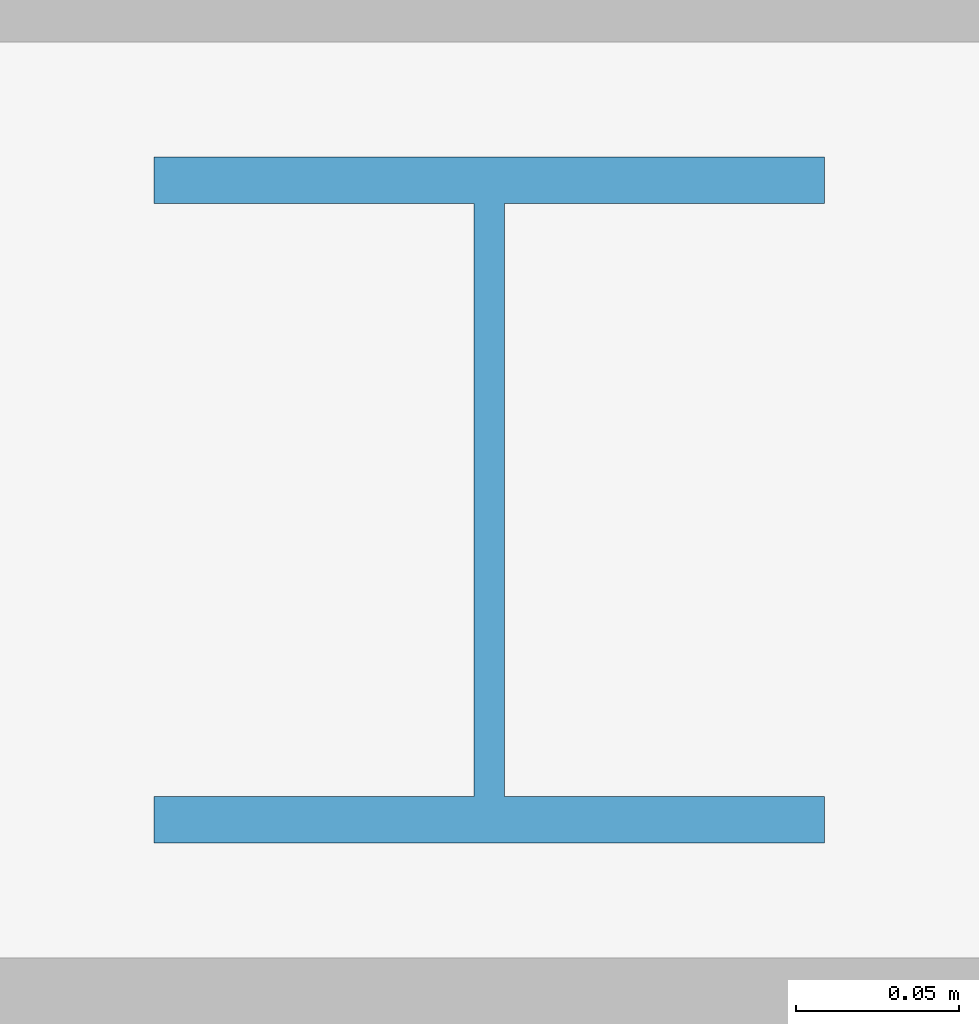
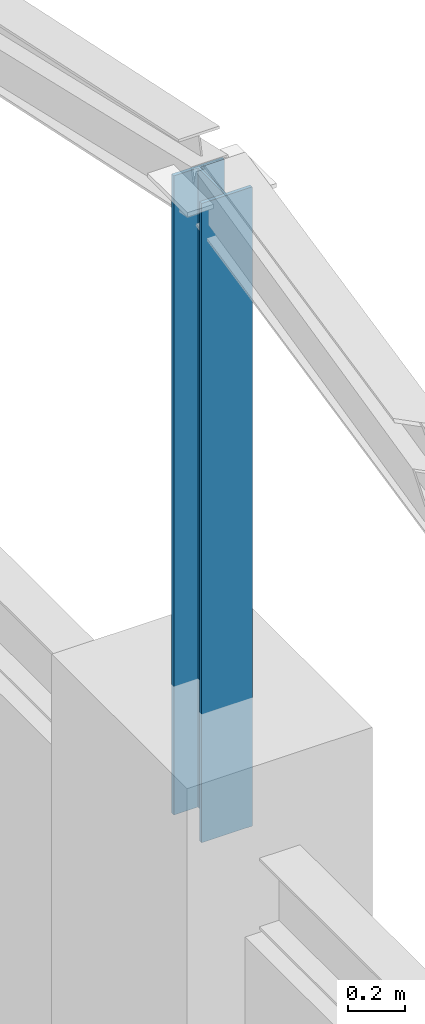
# One storey, part 42 of 92: 1 member.
"""IFC4 building model written with IfcOpenShell, lengths in metres."""

from ifc_helpers import new_model, si_unit, direction, frame, origin, origin_2d, place, context, subcontext, project, spatial, i_section, extrude, material, material_profile, profile_set, type_object, element, save


model = new_model("IFC4")

# Units and contexts
model_context = context("Model", 3, precision=1e-05, world=origin(), true_north=direction((0.0, 1.0)))
body_context = subcontext(model_context, "Body", "Model", "MODEL_VIEW")
ifc_project = project(units=[si_unit("LENGTHUNIT", "METRE"), si_unit("AREAUNIT", "SQUARE_METRE"), si_unit("VOLUMEUNIT", "CUBIC_METRE"), si_unit("PLANEANGLEUNIT", "RADIAN"), si_unit("MASSUNIT", "GRAM", prefix="KILO")], contexts=[model_context])

# Site, building, storey
site_placement = place(None, origin())
site = spatial("IfcSite", under=ifc_project, at=site_placement, CompositionType="ELEMENT")
building_placement = place(site_placement, origin())
building = spatial("IfcBuilding", under=site, at=building_placement, Name="Solanera Park Tramway Depot", CompositionType="ELEMENT")
storey_placement = place(building_placement, frame((0.0, 0.0, 4.800048828125)))
storey = spatial("IfcBuildingStorey", under=building, at=storey_placement, Name="L01", CompositionType="ELEMENT", Elevation=4.800048828125)

# Member
ifc_material = material(Name="Steel AS/NZS 3679.1 Grade 350", Category="steel")
ifc_material_profile = material_profile(ifc_material, i_section(OverallWidth=0.205078125, OverallDepth=0.209716796875, WebThickness=0.00927734375, FlangeThickness=0.01416015625, at=origin_2d()), Name="200UC59.5")
ifc_profile_set = profile_set([ifc_material_profile], Name="Steel AS/NZS 3679.1 Grade 350")
member_type = type_object("IfcMemberType", Name="Roof Gantry Compression Strut 200UC59.5", PredefinedType="STRUT", material=ifc_profile_set)
member_placement = place(storey_placement, frame((216.0, 129.60009765625, 3.64794921875), z_axis=(0.0, 0.0, 1.0), x_axis=(1.0, 0.0, 0.0)))
element("IfcMember", 1, at=member_placement, inside=storey, type_object=member_type, Name="Hip ROOF TRUSS King Post #0124", PredefinedType="STRUT", context=body_context, shape_type="SweptSolid", body=[
    extrude(i_section(OverallWidth=0.205078125, OverallDepth=0.209716796875, WebThickness=0.00927734375, FlangeThickness=0.01416015625, at=origin_2d()), origin(), (0.0, 0.0, 1.0), 2.737548828125),
])

save(model, "model.ifc")
